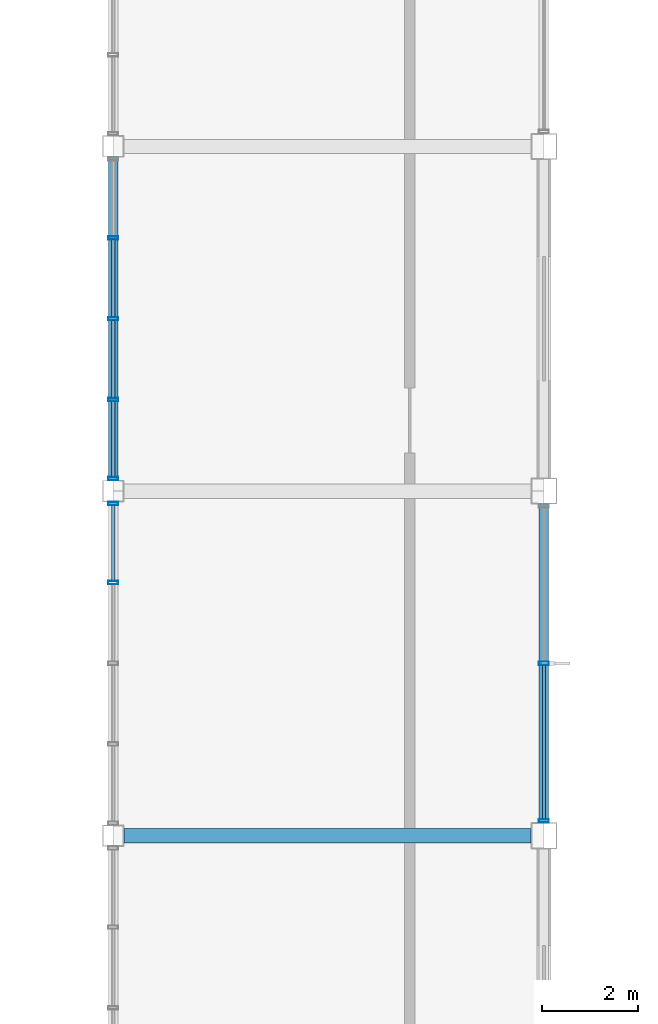
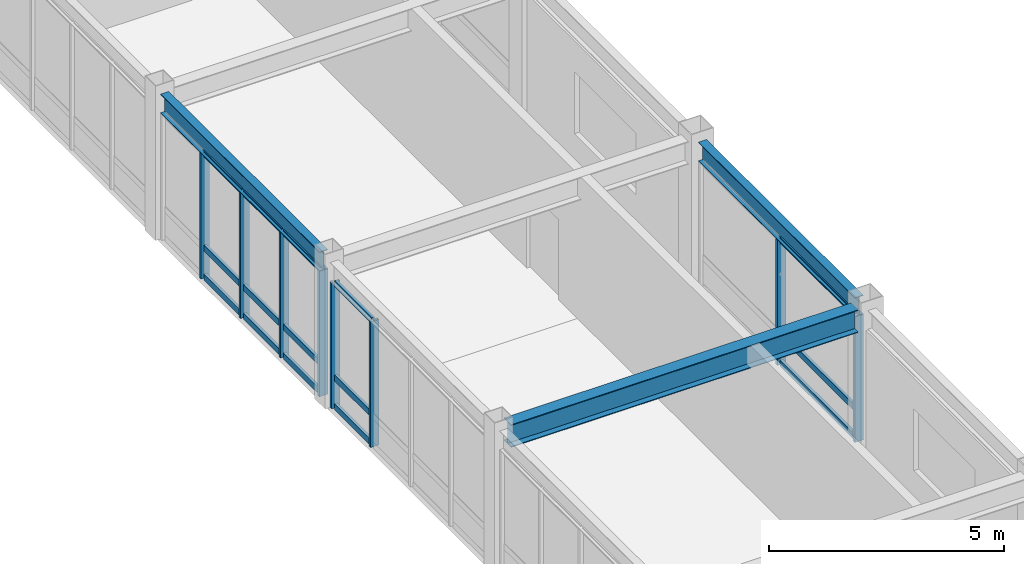
# One storey, part 33 of 122: 23 members, 3 beams, 3 elements without a shape of their own.
"""IFC4 building model written with IfcOpenShell, lengths in metres."""

from ifc_helpers import new_model, si_unit, direction, frame, origin, origin_2d, place, context, subcontext, project, spatial, hollow_rectangle, i_section, extrude, material, material_profile, profile_set, type_object, element, aggregate, save


model = new_model("IFC4")

# Units and contexts
model_context = context("Model", 3, precision=1e-05, world=origin(), true_north=direction((0.0, 1.0)))
body_context = subcontext(model_context, "Body", "Model", "MODEL_VIEW")
ifc_project = project(units=[si_unit("LENGTHUNIT", "METRE"), si_unit("AREAUNIT", "SQUARE_METRE"), si_unit("VOLUMEUNIT", "CUBIC_METRE"), si_unit("PLANEANGLEUNIT", "RADIAN"), si_unit("MASSUNIT", "GRAM", prefix="KILO")], contexts=[model_context])

# Site, building, storey
site_placement = place(None, origin())
site = spatial("IfcSite", under=ifc_project, at=site_placement, CompositionType="ELEMENT")
building_placement = place(site_placement, origin())
building = spatial("IfcBuilding", under=site, at=building_placement, Name="Kazanami Central Library", CompositionType="ELEMENT")
storey_placement = place(building_placement, frame((0.0, 0.0, 4.800048828125)))
storey = spatial("IfcBuildingStorey", under=building, at=storey_placement, Name="L02", CompositionType="ELEMENT", Elevation=4.800048828125)

# Beams
ifc_material_1 = material(Name="Steel SN490B (325 MPa)", Category="steel")
ifc_material_profile_1 = material_profile(ifc_material_1, i_section(OverallWidth=0.300048828125, OverallDepth=0.587890625, WebThickness=0.011962890625, FlangeThickness=0.02001953125, at=origin_2d()), Name="H-588x300x12x20")
ifc_profile_set_1 = profile_set([ifc_material_profile_1], Name="Steel SN490B (325 MPa)")
beam_type_1 = type_object("IfcBeamType", Name="BM-G-X2", PredefinedType="BEAM", material=ifc_profile_set_1)
beam_1_placement = place(storey_placement, frame((45.222900390625, 43.199951171875, 3.4609375), z_axis=(1.0, 0.0, 0.0), x_axis=(0.0, 1.0, 0.0)))
element("IfcBeam", 1, at=beam_1_placement, inside=storey, type_object=beam_type_1, Name="Girder G-X2 L02 G/6-7", PredefinedType="BEAM", context=body_context, shape_type="SweptSolid", body=[
    extrude(i_section(OverallWidth=0.300048828125, OverallDepth=0.587890625, WebThickness=0.011962890625, FlangeThickness=0.02001953125, at=origin_2d()), origin(), (0.0, 0.0, 1.0), 8.504150390625),
])
ifc_material_profile_2 = material_profile(ifc_material_1, i_section(OverallWidth=0.199951171875, OverallDepth=0.5, WebThickness=0.010009765625, FlangeThickness=0.01611328125, at=origin_2d()), Name="H-500x200x10x16")
ifc_profile_set_2 = profile_set([ifc_material_profile_2], Name="Steel SN490B (325 MPa)")
beam_type_2 = type_object("IfcBeamType", Name="BM-SP-1", PredefinedType="SPANDREL", material=ifc_profile_set_2)
beam_2_placement = place(storey_placement, frame((45.0, 50.623046875, 3.5048828125), z_axis=(0.0, 1.0, 0.0), x_axis=(-1.0, 0.0, 0.0)))
element("IfcBeam", 2, at=beam_2_placement, inside=storey, type_object=beam_type_2, Name="Girder SP-1 L02 6/H-J", PredefinedType="SPANDREL", context=body_context, shape_type="SweptSolid", body=[
    extrude(i_section(OverallWidth=0.199951171875, OverallDepth=0.5, WebThickness=0.010009765625, FlangeThickness=0.01611328125, at=origin_2d()), origin(), (0.0, 0.0, 1.0), 6.75390625),
])
beam_3_placement = place(storey_placement, frame((54.0, 43.472900390625, 3.5048828125), z_axis=(0.0, 1.0, 0.0), x_axis=(-1.0, 0.0, 0.0)))
element("IfcBeam", 3, at=beam_3_placement, inside=storey, type_object=beam_type_2, Name="Girder SP-1 L02 7/G-H", PredefinedType="SPANDREL", context=body_context, shape_type="SweptSolid", body=[
    extrude(i_section(OverallWidth=0.199951171875, OverallDepth=0.5, WebThickness=0.010009765625, FlangeThickness=0.01611328125, at=origin_2d()), origin(), (0.0, 0.0, 1.0), 6.654052734375),
])

# Curtain wall, members
ifc_material_2 = material(Name="Acid-Etched Low-E Laminated Glass", Category="glass")
curtain_wall_type_1 = type_object("IfcCurtainWallType", Name="CW-6750x3255-M180", PredefinedType="USERDEFINED", material=ifc_material_2)
curtain_wall_1_placement = place(storey_placement, origin())
curtain_wall_1 = element("IfcCurtainWall", 4, at=curtain_wall_1_placement, inside=storey, type_object=curtain_wall_type_1, Name="Covered Link Bridge Curtain Wall CW-21 L02 W-6-06", ObjectType="UNITISED CURTAIN WALL", PredefinedType="USERDEFINED")
ifc_material_3 = material(Name="Anodised Aluminium A6063-T5", Category="aluminium")
ifc_material_profile_3 = material_profile(ifc_material_3, hollow_rectangle(XDim=0.070068359375, YDim=0.2099609375, WallThickness=0.0048828125, at=origin_2d()), Name="ALU-MULL-70x210x5")
ifc_profile_set_3 = profile_set([ifc_material_profile_3], Name="Anodised Aluminium A6063-T5")
member_type_1 = type_object("IfcMemberType", Name="MEM-CW-M1", PredefinedType="MULLION", material=ifc_profile_set_3)
member_1_placement = place(storey_placement, frame((45.0, 48.487548828125, 0.0), z_axis=(0.0, 0.0, 1.0), x_axis=(0.0, 1.0, 0.0)))
member_1 = element("IfcMember", 5, at=member_1_placement, type_object=member_type_1, Name="CW-21 mullion 4", PredefinedType="MULLION", context=body_context, shape_type="SweptSolid", body=[
    extrude(hollow_rectangle(XDim=0.070068359375, YDim=0.2099609375, WallThickness=0.0048828125, at=origin_2d()), origin(), (0.0, 0.0, 1.0), 3.2548828125),
])
member_2_placement = place(storey_placement, frame((45.0, 50.139892578125, 0.0), z_axis=(0.0, 0.0, 1.0), x_axis=(0.0, 1.0, 0.0)))
member_2 = element("IfcMember", 6, at=member_2_placement, type_object=member_type_1, Name="CW-21 mullion 5", PredefinedType="MULLION", context=body_context, shape_type="SweptSolid", body=[
    extrude(hollow_rectangle(XDim=0.070068359375, YDim=0.2099609375, WallThickness=0.0048828125, at=origin_2d()), origin(), (0.0, 0.0, 1.0), 3.2548828125),
])

curtain_wall_2_placement = place(storey_placement, origin())
curtain_wall_2 = element("IfcCurtainWall", 7, at=curtain_wall_2_placement, inside=storey, type_object=curtain_wall_type_1, Name="Covered Link Bridge Curtain Wall CW-21 L02 W-6-07", ObjectType="UNITISED CURTAIN WALL", PredefinedType="USERDEFINED")
member_3_placement = place(storey_placement, frame((45.0, 50.659912109375, 0.0), z_axis=(0.0, 0.0, 1.0), x_axis=(0.0, 1.0, 0.0)))
member_3 = element("IfcMember", 8, at=member_3_placement, type_object=member_type_1, Name="CW-21 mullion 1", PredefinedType="MULLION", context=body_context, shape_type="SweptSolid", body=[
    extrude(hollow_rectangle(XDim=0.070068359375, YDim=0.2099609375, WallThickness=0.0048828125, at=origin_2d()), origin(), (0.0, 0.0, 1.0), 3.2548828125),
])
member_4_placement = place(storey_placement, frame((45.0, 52.3125, 0.0), z_axis=(0.0, 0.0, 1.0), x_axis=(0.0, 1.0, 0.0)))
member_4 = element("IfcMember", 9, at=member_4_placement, type_object=member_type_1, Name="CW-21 mullion 2", PredefinedType="MULLION", context=body_context, shape_type="SweptSolid", body=[
    extrude(hollow_rectangle(XDim=0.070068359375, YDim=0.2099609375, WallThickness=0.0048828125, at=origin_2d()), origin(), (0.0, 0.0, 1.0), 3.2548828125),
])
member_5_placement = place(storey_placement, frame((45.0, 54.0, 0.0), z_axis=(0.0, 0.0, 1.0), x_axis=(0.0, 1.0, 0.0)))
member_5 = element("IfcMember", 10, at=member_5_placement, type_object=member_type_1, Name="CW-21 mullion 3", PredefinedType="MULLION", context=body_context, shape_type="SweptSolid", body=[
    extrude(hollow_rectangle(XDim=0.070068359375, YDim=0.2099609375, WallThickness=0.0048828125, at=origin_2d()), origin(), (0.0, 0.0, 1.0), 3.2548828125),
])
member_6_placement = place(storey_placement, frame((45.0, 55.6875, 0.0), z_axis=(0.0, 0.0, 1.0), x_axis=(0.0, 1.0, 0.0)))
member_6 = element("IfcMember", 11, at=member_6_placement, type_object=member_type_1, Name="CW-21 mullion 4", PredefinedType="MULLION", context=body_context, shape_type="SweptSolid", body=[
    extrude(hollow_rectangle(XDim=0.070068359375, YDim=0.2099609375, WallThickness=0.0048828125, at=origin_2d()), origin(), (0.0, 0.0, 1.0), 3.2548828125),
])

curtain_wall_type_2 = type_object("IfcCurtainWallType", Name="CW-6650x3255-M275", PredefinedType="USERDEFINED", material=ifc_material_2)
curtain_wall_3_placement = place(storey_placement, origin())
curtain_wall_3 = element("IfcCurtainWall", 12, at=curtain_wall_3_placement, inside=storey, type_object=curtain_wall_type_2, Name="Unitised Curtain Wall CW-22 L02 E-7-06", ObjectType="UNITISED CURTAIN WALL", PredefinedType="USERDEFINED")
member_7_placement = place(storey_placement, frame((54.0, 46.800048828125, 0.0), z_axis=(0.0, 0.0, 1.0), x_axis=(0.0, -1.0, 0.0)))
member_7 = element("IfcMember", 13, at=member_7_placement, type_object=member_type_1, Name="CW-22 mullion 2", PredefinedType="MULLION", context=body_context, shape_type="SweptSolid", body=[
    extrude(hollow_rectangle(XDim=0.070068359375, YDim=0.2099609375, WallThickness=0.0048828125, at=origin_2d()), origin(), (0.0, 0.0, 1.0), 3.2548828125),
])
member_8_placement = place(storey_placement, frame((54.0, 43.510009765625, 0.0), z_axis=(0.0, 0.0, 1.0), x_axis=(0.0, -1.0, 0.0)))
member_8 = element("IfcMember", 14, at=member_8_placement, type_object=member_type_1, Name="CW-22 mullion 3", PredefinedType="MULLION", context=body_context, shape_type="SweptSolid", body=[
    extrude(hollow_rectangle(XDim=0.070068359375, YDim=0.2099609375, WallThickness=0.0048828125, at=origin_2d()), origin(), (0.0, 0.0, 1.0), 3.2548828125),
])

# Member
ifc_material_profile_4 = material_profile(ifc_material_3, hollow_rectangle(XDim=0.070068359375, YDim=0.159912109375, WallThickness=0.00390625, at=origin_2d()), Name="ALU-TRAN-70x160x4")
ifc_profile_set_4 = profile_set([ifc_material_profile_4], Name="Anodised Aluminium A6063-T5")
member_type_2 = type_object("IfcMemberType", Name="MEM-CW-T1", PredefinedType="USERDEFINED", material=ifc_profile_set_4)
member_9_placement = place(storey_placement, frame((45.0, 48.5224609375, 0.034912109375), z_axis=(0.0, 1.0, 0.0), x_axis=(-1.0, 0.0, 0.0)))
member_9 = element("IfcMember", 15, at=member_9_placement, type_object=member_type_2, Name="CW-21 transom 4.1", ObjectType="TRANSOM", PredefinedType="USERDEFINED", context=body_context, shape_type="SweptSolid", body=[
    extrude(hollow_rectangle(XDim=0.070068359375, YDim=0.159912109375, WallThickness=0.00390625, at=origin_2d()), origin(), (0.0, 0.0, 1.0), 1.58251953125),
])

member_10_placement = place(storey_placement, frame((45.0, 48.5224609375, 0.780029296875), z_axis=(0.0, 1.0, 0.0), x_axis=(-1.0, 0.0, 0.0)))
member_10 = element("IfcMember", 16, at=member_10_placement, type_object=member_type_2, Name="CW-21 transom 4.2", ObjectType="TRANSOM", PredefinedType="USERDEFINED", context=body_context, shape_type="SweptSolid", body=[
    extrude(hollow_rectangle(XDim=0.070068359375, YDim=0.159912109375, WallThickness=0.00390625, at=origin_2d()), origin(), (0.0, 0.0, 1.0), 1.58251953125),
])

member_11_placement = place(storey_placement, frame((45.0, 48.5224609375, 3.219970703125), z_axis=(0.0, 1.0, 0.0), x_axis=(-1.0, 0.0, 0.0)))
member_11 = element("IfcMember", 17, at=member_11_placement, type_object=member_type_2, Name="CW-21 transom 4.3", ObjectType="TRANSOM", PredefinedType="USERDEFINED", context=body_context, shape_type="SweptSolid", body=[
    extrude(hollow_rectangle(XDim=0.070068359375, YDim=0.159912109375, WallThickness=0.00390625, at=origin_2d()), origin(), (0.0, 0.0, 1.0), 1.58251953125),
])

aggregate(curtain_wall_1, [member_1, member_2, member_9, member_10, member_11])

member_12_placement = place(storey_placement, frame((45.0, 50.695068359375, 0.034912109375), z_axis=(0.0, 1.0, 0.0), x_axis=(-1.0, 0.0, 0.0)))
member_12 = element("IfcMember", 18, at=member_12_placement, type_object=member_type_2, Name="CW-21 transom 1.1", ObjectType="TRANSOM", PredefinedType="USERDEFINED", context=body_context, shape_type="SweptSolid", body=[
    extrude(hollow_rectangle(XDim=0.070068359375, YDim=0.159912109375, WallThickness=0.00390625, at=origin_2d()), origin(), (0.0, 0.0, 1.0), 1.58251953125),
])

member_13_placement = place(storey_placement, frame((45.0, 50.695068359375, 0.780029296875), z_axis=(0.0, 1.0, 0.0), x_axis=(-1.0, 0.0, 0.0)))
member_13 = element("IfcMember", 19, at=member_13_placement, type_object=member_type_2, Name="CW-21 transom 1.2", ObjectType="TRANSOM", PredefinedType="USERDEFINED", context=body_context, shape_type="SweptSolid", body=[
    extrude(hollow_rectangle(XDim=0.070068359375, YDim=0.159912109375, WallThickness=0.00390625, at=origin_2d()), origin(), (0.0, 0.0, 1.0), 1.58251953125),
])

member_14_placement = place(storey_placement, frame((45.0, 50.695068359375, 3.219970703125), z_axis=(0.0, 1.0, 0.0), x_axis=(-1.0, 0.0, 0.0)))
member_14 = element("IfcMember", 20, at=member_14_placement, type_object=member_type_2, Name="CW-21 transom 1.3", ObjectType="TRANSOM", PredefinedType="USERDEFINED", context=body_context, shape_type="SweptSolid", body=[
    extrude(hollow_rectangle(XDim=0.070068359375, YDim=0.159912109375, WallThickness=0.00390625, at=origin_2d()), origin(), (0.0, 0.0, 1.0), 1.58251953125),
])

member_15_placement = place(storey_placement, frame((45.0, 52.347412109375, 0.034912109375), z_axis=(0.0, 1.0, 0.0), x_axis=(-1.0, 0.0, 0.0)))
member_15 = element("IfcMember", 21, at=member_15_placement, type_object=member_type_2, Name="CW-21 transom 2.1", ObjectType="TRANSOM", PredefinedType="USERDEFINED", context=body_context, shape_type="SweptSolid", body=[
    extrude(hollow_rectangle(XDim=0.070068359375, YDim=0.159912109375, WallThickness=0.00390625, at=origin_2d()), origin(), (0.0, 0.0, 1.0), 1.61767578125),
])

member_16_placement = place(storey_placement, frame((45.0, 52.347412109375, 0.780029296875), z_axis=(0.0, 1.0, 0.0), x_axis=(-1.0, 0.0, 0.0)))
member_16 = element("IfcMember", 22, at=member_16_placement, type_object=member_type_2, Name="CW-21 transom 2.2", ObjectType="TRANSOM", PredefinedType="USERDEFINED", context=body_context, shape_type="SweptSolid", body=[
    extrude(hollow_rectangle(XDim=0.070068359375, YDim=0.159912109375, WallThickness=0.00390625, at=origin_2d()), origin(), (0.0, 0.0, 1.0), 1.61767578125),
])

member_17_placement = place(storey_placement, frame((45.0, 52.347412109375, 3.219970703125), z_axis=(0.0, 1.0, 0.0), x_axis=(-1.0, 0.0, 0.0)))
member_17 = element("IfcMember", 23, at=member_17_placement, type_object=member_type_2, Name="CW-21 transom 2.3", ObjectType="TRANSOM", PredefinedType="USERDEFINED", context=body_context, shape_type="SweptSolid", body=[
    extrude(hollow_rectangle(XDim=0.070068359375, YDim=0.159912109375, WallThickness=0.00390625, at=origin_2d()), origin(), (0.0, 0.0, 1.0), 1.61767578125),
])

member_18_placement = place(storey_placement, frame((45.0, 54.034912109375, 0.034912109375), z_axis=(0.0, 1.0, 0.0), x_axis=(-1.0, 0.0, 0.0)))
member_18 = element("IfcMember", 24, at=member_18_placement, type_object=member_type_2, Name="CW-21 transom 3.1", ObjectType="TRANSOM", PredefinedType="USERDEFINED", context=body_context, shape_type="SweptSolid", body=[
    extrude(hollow_rectangle(XDim=0.070068359375, YDim=0.159912109375, WallThickness=0.00390625, at=origin_2d()), origin(), (0.0, 0.0, 1.0), 1.61767578125),
])

member_19_placement = place(storey_placement, frame((45.0, 54.034912109375, 0.780029296875), z_axis=(0.0, 1.0, 0.0), x_axis=(-1.0, 0.0, 0.0)))
member_19 = element("IfcMember", 25, at=member_19_placement, type_object=member_type_2, Name="CW-21 transom 3.2", ObjectType="TRANSOM", PredefinedType="USERDEFINED", context=body_context, shape_type="SweptSolid", body=[
    extrude(hollow_rectangle(XDim=0.070068359375, YDim=0.159912109375, WallThickness=0.00390625, at=origin_2d()), origin(), (0.0, 0.0, 1.0), 1.61767578125),
])

member_20_placement = place(storey_placement, frame((45.0, 54.034912109375, 3.219970703125), z_axis=(0.0, 1.0, 0.0), x_axis=(-1.0, 0.0, 0.0)))
member_20 = element("IfcMember", 26, at=member_20_placement, type_object=member_type_2, Name="CW-21 transom 3.3", ObjectType="TRANSOM", PredefinedType="USERDEFINED", context=body_context, shape_type="SweptSolid", body=[
    extrude(hollow_rectangle(XDim=0.070068359375, YDim=0.159912109375, WallThickness=0.00390625, at=origin_2d()), origin(), (0.0, 0.0, 1.0), 1.61767578125),
])

aggregate(curtain_wall_2, [member_3, member_4, member_5, member_6, member_12, member_13, member_14, member_15, member_16, member_17, member_18, member_19, member_20])

member_21_placement = place(storey_placement, frame((54.0, 46.764892578125, 0.034912109375), z_axis=(0.0, -1.0, 0.0), x_axis=(1.0, 0.0, 0.0)))
member_21 = element("IfcMember", 27, at=member_21_placement, type_object=member_type_2, Name="CW-22 transom 2.1", ObjectType="TRANSOM", PredefinedType="USERDEFINED", context=body_context, shape_type="SweptSolid", body=[
    extrude(hollow_rectangle(XDim=0.070068359375, YDim=0.159912109375, WallThickness=0.00390625, at=origin_2d()), origin(), (0.0, 0.0, 1.0), 3.219970703125),
])

member_22_placement = place(storey_placement, frame((54.0, 46.764892578125, 0.780029296875), z_axis=(0.0, -1.0, 0.0), x_axis=(1.0, 0.0, 0.0)))
member_22 = element("IfcMember", 28, at=member_22_placement, type_object=member_type_2, Name="CW-22 transom 2.2", ObjectType="TRANSOM", PredefinedType="USERDEFINED", context=body_context, shape_type="SweptSolid", body=[
    extrude(hollow_rectangle(XDim=0.070068359375, YDim=0.159912109375, WallThickness=0.00390625, at=origin_2d()), origin(), (0.0, 0.0, 1.0), 3.219970703125),
])

member_23_placement = place(storey_placement, frame((54.0, 46.764892578125, 3.219970703125), z_axis=(0.0, -1.0, 0.0), x_axis=(1.0, 0.0, 0.0)))
member_23 = element("IfcMember", 29, at=member_23_placement, type_object=member_type_2, Name="CW-22 transom 2.3", ObjectType="TRANSOM", PredefinedType="USERDEFINED", context=body_context, shape_type="SweptSolid", body=[
    extrude(hollow_rectangle(XDim=0.070068359375, YDim=0.159912109375, WallThickness=0.00390625, at=origin_2d()), origin(), (0.0, 0.0, 1.0), 3.219970703125),
])

aggregate(curtain_wall_3, [member_7, member_8, member_21, member_22, member_23])

save(model, "model.ifc")
